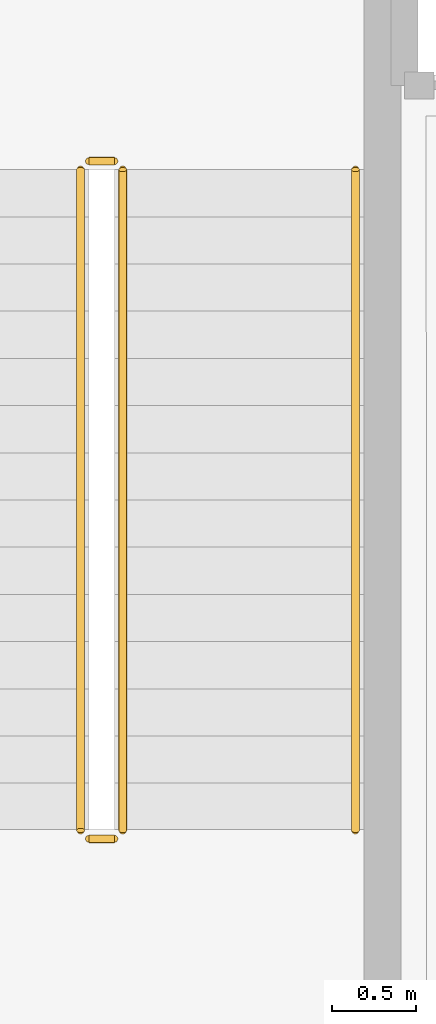
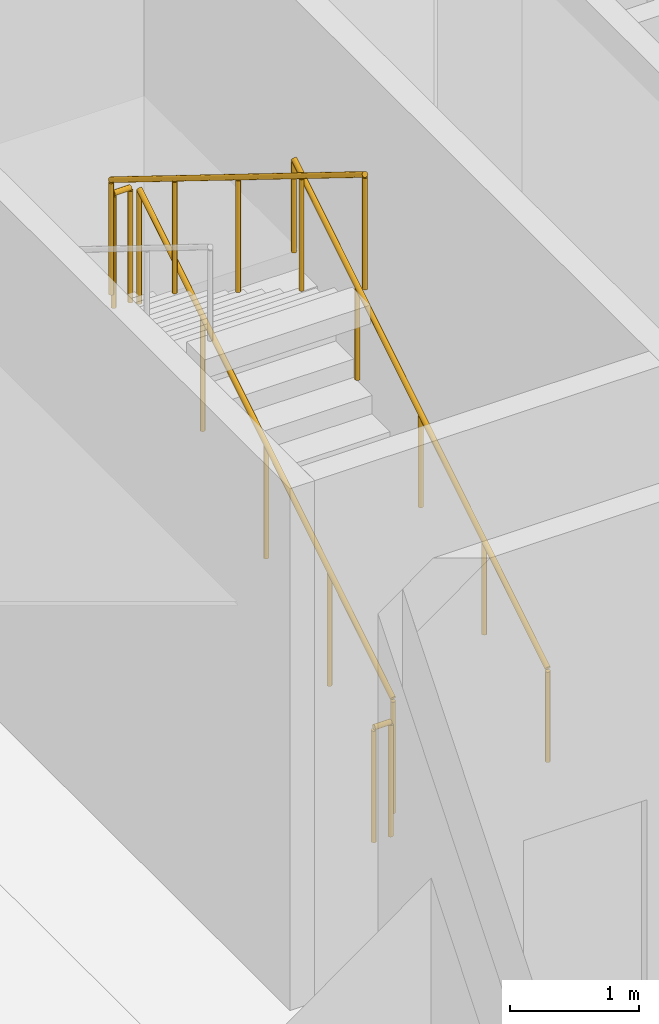
# One storey, part 37 of 39: 5 railings.
"""IFC4 building model written with IfcOpenShell, lengths in metres."""

from ifc_helpers import new_model, si_unit, direction, frame, origin, origin_2d, place, context, subcontext, project, spatial, circle, extrude, material, type_object, element, save


model = new_model("IFC4")

# Units and contexts
model_context = context("Model", 3, precision=1e-05, world=origin(), true_north=direction((0.0, 1.0)))
body_context = subcontext(model_context, "Body", "Model", "MODEL_VIEW")
ifc_project = project(units=[si_unit("LENGTHUNIT", "METRE"), si_unit("AREAUNIT", "SQUARE_METRE"), si_unit("VOLUMEUNIT", "CUBIC_METRE"), si_unit("PLANEANGLEUNIT", "RADIAN"), si_unit("MASSUNIT", "GRAM", prefix="KILO")], contexts=[model_context])

# Site, building, storey
site_placement = place(None, origin())
site = spatial("IfcSite", under=ifc_project, at=site_placement, CompositionType="ELEMENT")
building_placement = place(site_placement, origin())
building = spatial("IfcBuilding", under=site, at=building_placement, Name="Valdorenza Pilgrim Sanctuary Tower", CompositionType="ELEMENT")
storey_placement = place(building_placement, frame((0.0, 0.0, 10.39990234375)))
storey = spatial("IfcBuildingStorey", under=building, at=storey_placement, Name="L02", CompositionType="ELEMENT", Elevation=10.39990234375)

# Railings
ifc_material_1 = material(Name="Stainless steel Grade 316", Category="steel")
railing_type_1 = type_object("IfcRailingType", Name="RLG-GRD-1120", PredefinedType="GUARDRAIL", material=ifc_material_1)
railing_1_placement = place(storey_placement, frame((18.679931640625, 2.3798828125, 0.17333984375)))
element("IfcRailing", 1, at=railing_1_placement, inside=storey, type_object=railing_type_1, Name="L02 ST-B1 stair guard 1", PredefinedType="GUARDRAIL", context=body_context, shape_type="SweptSolid", body=[
    extrude(circle(Radius=0.02392578125, at=origin_2d()), frame((0.0, 0.0, 1.076171875), z_axis=(0.0, 0.850266275192, 0.526352791643), x_axis=(-1.0, 0.0, 0.0)), (0.0, 0.0, 1.0), 4.610595703125),
    extrude(circle(Radius=0.02099609375, at=origin_2d()), origin(), (0.0, 0.0, 1.0), 1.052001953125),
    extrude(circle(Radius=0.02099609375, at=origin_2d()), frame((0.0, 0.97998046875, 0.606689453125)), (0.0, 0.0, 1.0), 1.052001953125),
    extrude(circle(Radius=0.02099609375, at=origin_2d()), frame((0.0, 1.9599609375, 1.21337890625)), (0.0, 0.0, 1.0), 1.052001953125),
    extrude(circle(Radius=0.02099609375, at=origin_2d()), frame((0.0, 2.940185546875, 1.820068359375)), (0.0, 0.0, 1.0), 1.052001953125),
    extrude(circle(Radius=0.02099609375, at=origin_2d()), frame((0.0, 3.920166015625, 2.4267578125)), (0.0, 0.0, 1.0), 1.052001953125),
])
railing_2_placement = place(storey_placement, frame((18.6298828125, 6.35009765625, 2.60009765625)))
element("IfcRailing", 2, at=railing_2_placement, inside=storey, type_object=railing_type_1, Name="L02 ST-B1 stair guard 2", PredefinedType="GUARDRAIL", context=body_context, shape_type="SweptSolid", body=[
    extrude(circle(Radius=0.02392578125, at=origin_2d()), frame((0.0, 0.0, 1.076171875), z_axis=(-1.0, 0.0, 0.0), x_axis=(0.0, -1.0, 0.0)), (0.0, 0.0, 1.0), 0.14990234375),
    extrude(circle(Radius=0.02099609375, at=origin_2d()), origin(), (0.0, 0.0, 1.0), 1.052001953125),
    extrude(circle(Radius=0.02099609375, at=origin_2d()), frame((-0.14990234375, 0.0, 0.0)), (0.0, 0.0, 1.0), 1.052001953125),
])
railing_3_placement = place(storey_placement, frame((18.429931640625, 6.300048828125, 2.7734375)))
element("IfcRailing", 3, at=railing_3_placement, inside=storey, type_object=railing_type_1, Name="L02 ST-B1 stair guard 3", PredefinedType="GUARDRAIL", context=body_context, shape_type="SweptSolid", body=[
    extrude(circle(Radius=0.02392578125, at=origin_2d()), frame((0.0, 0.0, 1.076171875), z_axis=(0.0, -0.850266275192, 0.526352791643), x_axis=(1.0, 0.0, 0.0)), (0.0, 0.0, 1.0), 4.610595703125),
    extrude(circle(Radius=0.02099609375, at=origin_2d()), origin(), (0.0, 0.0, 1.0), 1.052001953125),
    extrude(circle(Radius=0.02099609375, at=origin_2d()), frame((0.0, -0.97998046875, 0.606689453125)), (0.0, 0.0, 1.0), 1.052001953125),
    extrude(circle(Radius=0.02099609375, at=origin_2d()), frame((0.0, -1.9599609375, 1.21337890625)), (0.0, 0.0, 1.0), 1.052001953125),
    extrude(circle(Radius=0.02099609375, at=origin_2d()), frame((0.0, -2.940185546875, 1.820068359375)), (0.0, 0.0, 1.0), 1.052001953125),
    extrude(circle(Radius=0.02099609375, at=origin_2d()), frame((0.0, -3.920166015625, 2.4267578125)), (0.0, 0.0, 1.0), 1.052001953125),
])
railing_4_placement = place(storey_placement, frame((18.6298828125, 2.330078125, 0.0)))
element("IfcRailing", 4, at=railing_4_placement, inside=storey, type_object=railing_type_1, Name="L02 ST-B1 stair guard 4", PredefinedType="GUARDRAIL", context=body_context, shape_type="SweptSolid", body=[
    extrude(circle(Radius=0.02392578125, at=origin_2d()), frame((0.0, 0.0, 1.076171875), z_axis=(-1.0, 0.0, 0.0), x_axis=(0.0, -1.0, 0.0)), (0.0, 0.0, 1.0), 0.14990234375),
    extrude(circle(Radius=0.02099609375, at=origin_2d()), origin(), (0.0, 0.0, 1.0), 1.052001953125),
    extrude(circle(Radius=0.02099609375, at=origin_2d()), frame((-0.14990234375, 0.0, 0.0)), (0.0, 0.0, 1.0), 1.052001953125),
])
ifc_material_2 = material(Name="Brushed stainless steel Grade 316", Category="steel")
railing_type_2 = type_object("IfcRailingType", Name="RLG-HND-920", PredefinedType="HANDRAIL", material=ifc_material_2)
railing_5_placement = place(storey_placement, frame((20.06005859375, 2.3798828125, 0.17333984375)))
element("IfcRailing", 5, at=railing_5_placement, inside=storey, type_object=railing_type_2, Name="L02 ST-B1 stair handrail 1", PredefinedType="HANDRAIL", context=body_context, shape_type="SweptSolid", body=[
    extrude(circle(Radius=0.02392578125, at=origin_2d()), frame((0.0, 0.0, 0.8759765625), z_axis=(0.0, 0.850266275192, 0.526352791643), x_axis=(-1.0, 0.0, 0.0)), (0.0, 0.0, 1.0), 4.610595703125),
    extrude(circle(Radius=0.02099609375, at=origin_2d()), origin(), (0.0, 0.0, 1.0), 0.851806640625),
    extrude(circle(Radius=0.02099609375, at=origin_2d()), frame((0.0, 0.97998046875, 0.606689453125)), (0.0, 0.0, 1.0), 0.851806640625),
    extrude(circle(Radius=0.02099609375, at=origin_2d()), frame((0.0, 1.9599609375, 1.21337890625)), (0.0, 0.0, 1.0), 0.851806640625),
    extrude(circle(Radius=0.02099609375, at=origin_2d()), frame((0.0, 2.940185546875, 1.820068359375)), (0.0, 0.0, 1.0), 0.851806640625),
    extrude(circle(Radius=0.02099609375, at=origin_2d()), frame((0.0, 3.920166015625, 2.4267578125)), (0.0, 0.0, 1.0), 0.851806640625),
])

save(model, "model.ifc")
